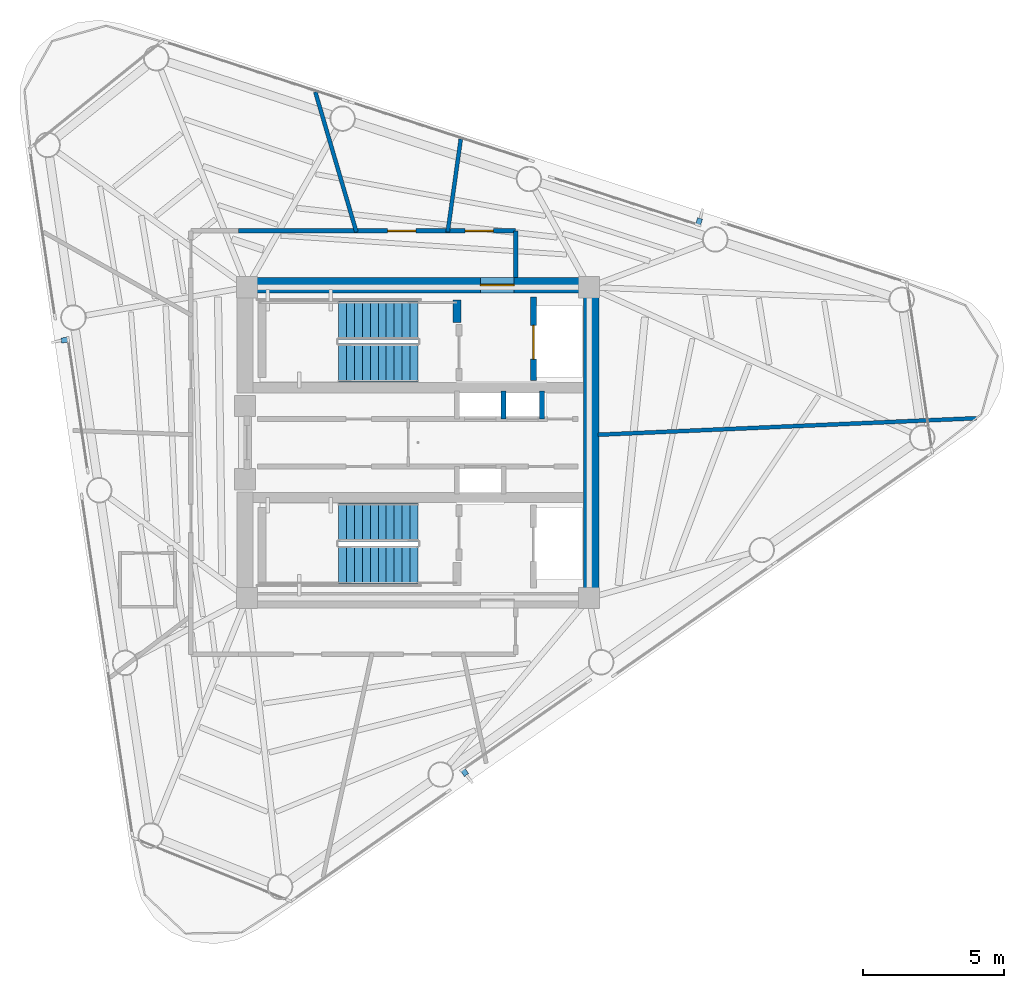
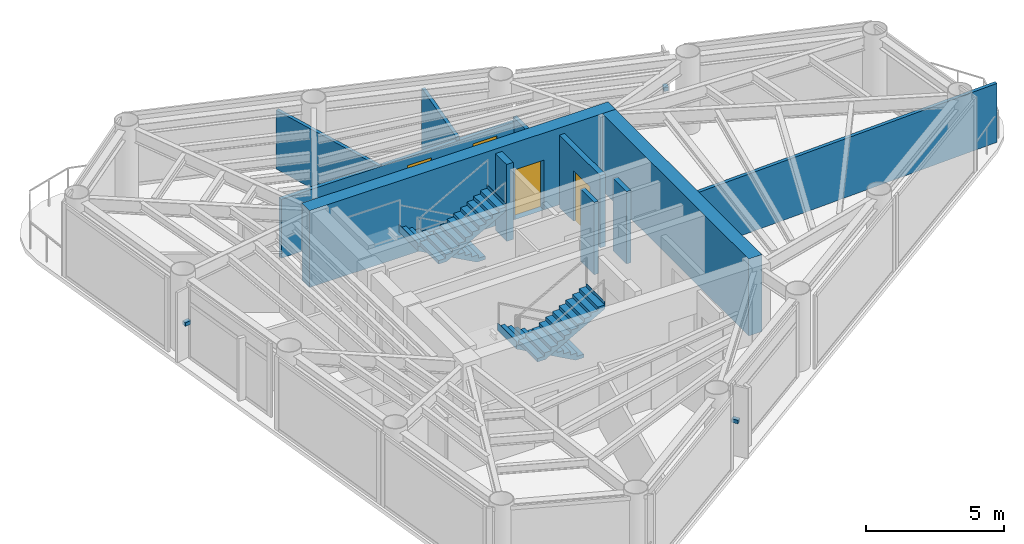
# One storey, part 6 of 9: 11 walls, 4 doors, 4 stair flights, 3 discrete accessories, 4 openings, 2 elements without a shape of their own.
"""IFC4 building model written with IfcOpenShell, lengths in metres."""

from ifc_helpers import new_model, si_unit, direction, frame, frame_2d, origin, origin_2d, place, context, subcontext, project, spatial, polyline, rectangle, outline, extrude, source, transform, mapped, material, layer, layer_set, type_object, element, fill, aggregate, save


model = new_model("IFC4")

# Units and contexts
model_context = context("Model", 3, precision=1e-05, world=origin(), true_north=direction((0.0, 1.0)))
body_context = subcontext(model_context, "Body", "Model", "MODEL_VIEW")
ifc_project = project(units=[si_unit("LENGTHUNIT", "METRE"), si_unit("AREAUNIT", "SQUARE_METRE"), si_unit("VOLUMEUNIT", "CUBIC_METRE"), si_unit("PLANEANGLEUNIT", "RADIAN"), si_unit("MASSUNIT", "GRAM", prefix="KILO")], contexts=[model_context])

# Site, building, storey
site_placement = place(None, origin())
site = spatial("IfcSite", under=ifc_project, at=site_placement, CompositionType="ELEMENT")
building_placement = place(site_placement, origin())
building = spatial("IfcBuilding", under=site, at=building_placement, Name="Yunling Apex Tower", CompositionType="ELEMENT")
storey_placement = place(building_placement, frame((0.0, 0.0, 264.35009765625)))
storey = spatial("IfcBuildingStorey", under=building, at=storey_placement, Name="L64", CompositionType="ELEMENT", Elevation=264.35009765625)

# Wall, opening, door
ifc_material_1 = material(Name="Concrete C40", Category="concrete")
ifc_layer_1 = layer(ifc_material_1, 0.550048828125)
ifc_layer_set_1 = layer_set([ifc_layer_1], Name="Concrete C40")
wall_type_1 = type_object("IfcWallType", Name="WL-COR-3", PredefinedType="SHEAR", material=ifc_layer_set_1)
wall_1_placement = place(storey_placement, frame((-6.39990234375, 5.574951171875, 0.0), z_axis=(0.0, 0.0, 1.0), x_axis=(1.0, 0.0, 0.0)))
wall_1 = element("IfcWall", 1, at=wall_1_placement, inside=storey, type_object=wall_type_1, Name="L64 North Core Shear Wall", PredefinedType="SHEAR", context=body_context, shape_type="SweptSolid", body=[
    extrude(rectangle(XDim=12.7998046875, YDim=0.550048828125, at=frame_2d((6.39990234375, 0.0))), origin(), (0.0, 0.0, 1.0), 3.39990234375),
])
opening_1_placement = place(wall_1_placement, frame((8.60009765625, 0.0, 0.0)))
opening_1 = element("IfcOpeningElement", 2, at=opening_1_placement, cuts=wall_1, Name="Opening DR-FFL-1", PredefinedType="OPENING", context=body_context, shape_type="SweptSolid", body=[
    extrude(rectangle(XDim=1.199951171875, YDim=2.199951171875, at=frame_2d((0.60009765625, 1.10009765625))), frame((0.0, 0.28515625, 0.0), z_axis=(0.0, -1.0, 0.0), x_axis=(1.0, 0.0, 0.0)), (0.0, 0.0, 1.0), 0.570068359375),
])
ifc_material_2 = material(Name="Steel Q355B", Category="steel")
door_type_1 = type_object("IfcDoorType", Name="DR-FFL-1", OperationType="NOTDEFINED", PredefinedType="DOOR", material=ifc_material_2)
door_1_placement = place(opening_1_placement, origin())
door_1 = element("IfcDoor", 3, at=door_1_placement, inside=storey, type_object=door_type_1, Name="L64 North Firefighting Lobby Door", OperationType="SINGLE_SWING_LEFT", OverallHeight=2.199951171875, OverallWidth=1.199951171875, PredefinedType="DOOR", context=body_context, shape_type="SweptSolid", body=[
    extrude(rectangle(XDim=1.199951171875, YDim=2.199951171875, at=frame_2d((0.60009765625, 1.10009765625))), frame((0.0, 0.02490234375, 0.0), z_axis=(0.0, -1.0, 0.0), x_axis=(1.0, 0.0, 0.0)), (0.0, 0.0, 1.0), 0.050048828125),
])
fill(opening_1, door_1)

# Walls
wall_2_placement = place(storey_placement, frame((6.125, -5.300048828125, 0.0), z_axis=(0.0, 0.0, 1.0), x_axis=(0.0, 1.0, 0.0)))
element("IfcWall", 4, at=wall_2_placement, inside=storey, type_object=wall_type_1, Name="L64 East Core Shear Wall", PredefinedType="SHEAR", context=body_context, shape_type="SweptSolid", body=[
    extrude(rectangle(XDim=10.60009765625, YDim=0.550048828125, at=frame_2d((5.300048828125, 0.0))), origin(), (0.0, 0.0, 1.0), 3.39990234375),
])
ifc_layer_2 = layer(ifc_material_1, 0.280029296875)
ifc_layer_set_2 = layer_set([ifc_layer_2], Name="Concrete C40")
wall_type_2 = type_object("IfcWallType", Name="WL-COR-8", PredefinedType="SHEAR", material=ifc_layer_set_2)
wall_3_placement = place(storey_placement, frame((1.3798828125, 4.25, 0.0), z_axis=(0.0, 0.0, 1.0), x_axis=(0.0, 1.0, 0.0)))
element("IfcWall", 5, at=wall_3_placement, inside=storey, type_object=wall_type_2, Name="L64 ST-1 East Landing Bearing Pier", PredefinedType="SHEAR", context=body_context, shape_type="SweptSolid", body=[
    extrude(rectangle(XDim=0.800048828125, YDim=0.280029296875, at=frame_2d((0.39990234375, 0.0))), origin(), (0.0, 0.0, 1.0), 3.39990234375),
])

# Wall, openings, doors
ifc_material_3 = material(Name="Gypsum board acoustic partition")
ifc_layer_3 = layer(ifc_material_3, 0.159912109375)
ifc_layer_set_3 = layer_set([ifc_layer_3], Name="Gypsum board acoustic partition")
wall_type_3 = type_object("IfcWallType", Name="WL-PRT-1", PredefinedType="PARTITIONING", material=ifc_layer_set_3)
wall_4_placement = place(storey_placement, frame((-6.360107421875, 7.489990234375, 0.0), z_axis=(0.0, 0.0, 1.0), x_axis=(1.0, 0.0, 0.0)))
wall_4 = element("IfcWall", 6, at=wall_4_placement, inside=storey, type_object=wall_type_3, Name="WL-CORR-L64-03", PredefinedType="PARTITIONING", context=body_context, shape_type="SweptSolid", body=[
    extrude(rectangle(XDim=9.81005859375, YDim=0.159912109375, at=frame_2d((4.905029296875, 0.0))), origin(), (0.0, 0.0, 1.0), 2.60498046875),
])
opening_2_placement = place(wall_4_placement, frame((5.283935546875, 0.0, 0.0)))
opening_2 = element("IfcOpeningElement", 7, at=opening_2_placement, cuts=wall_4, Name="Opening DR-OFF-1", PredefinedType="OPENING", context=body_context, shape_type="SweptSolid", body=[
    extrude(rectangle(XDim=1.0, YDim=2.25, at=frame_2d((0.5, 1.125))), frame((0.0, 0.08984375, 0.0), z_axis=(0.0, -1.0, 0.0), x_axis=(1.0, 0.0, 0.0)), (0.0, 0.0, 1.0), 0.179931640625),
])
opening_3_placement = place(wall_4_placement, frame((8.023193359375, 0.0, 0.0)))
opening_3 = element("IfcOpeningElement", 8, at=opening_3_placement, cuts=wall_4, Name="Opening DR-OFF-1", PredefinedType="OPENING", context=body_context, shape_type="SweptSolid", body=[
    extrude(rectangle(XDim=1.0, YDim=2.25, at=frame_2d((0.5, 1.125))), frame((0.0, 0.08984375, 0.0), z_axis=(0.0, -1.0, 0.0), x_axis=(1.0, 0.0, 0.0)), (0.0, 0.0, 1.0), 0.179931640625),
])
ifc_material_4 = material(Name="Bronze anodised aluminium", Category="aluminium")
door_type_2 = type_object("IfcDoorType", Name="DR-OFF-1", OperationType="NOTDEFINED", PredefinedType="DOOR", material=ifc_material_4)
door_2_placement = place(opening_2_placement, origin())
door_2 = element("IfcDoor", 9, at=door_2_placement, inside=storey, type_object=door_type_2, Name="L64 Wellness Yoga Club Door", OperationType="SINGLE_SWING_RIGHT", OverallHeight=2.25, OverallWidth=1.0, PredefinedType="DOOR", context=body_context, shape_type="SweptSolid", body=[
    extrude(rectangle(XDim=1.0, YDim=2.25, at=frame_2d((0.5, 1.125))), frame((0.0, 0.02490234375, 0.0), z_axis=(0.0, -1.0, 0.0), x_axis=(1.0, 0.0, 0.0)), (0.0, 0.0, 1.0), 0.050048828125),
])
fill(opening_2, door_2)
door_3_placement = place(opening_3_placement, origin())
door_3 = element("IfcDoor", 10, at=door_3_placement, inside=storey, type_object=door_type_2, Name="L64 Residents Music Lounge Door", OperationType="SINGLE_SWING_LEFT", OverallHeight=2.25, OverallWidth=1.0, PredefinedType="DOOR", context=body_context, shape_type="SweptSolid", body=[
    extrude(rectangle(XDim=1.0, YDim=2.25, at=frame_2d((0.5, 1.125))), frame((0.0, 0.02490234375, 0.0), z_axis=(0.0, -1.0, 0.0), x_axis=(1.0, 0.0, 0.0)), (0.0, 0.0, 1.0), 0.050048828125),
])
fill(opening_3, door_3)

# Walls
wall_5_placement = place(storey_placement, frame((3.449951171875, 7.489990234375, 0.0), z_axis=(0.0, 0.0, 1.0), x_axis=(0.0, -1.0, 0.0)))
element("IfcWall", 11, at=wall_5_placement, inside=storey, type_object=wall_type_3, Name="WL-CORR-L64-04", PredefinedType="PARTITIONING", context=body_context, shape_type="SweptSolid", body=[
    extrude(rectangle(XDim=1.639892578125, YDim=0.159912109375, at=frame_2d((0.81982421875, 0.0))), origin(), (0.0, 0.0, 1.0), 2.804931640625),
])
ifc_layer_4 = layer(ifc_material_3, 0.139892578125)
ifc_layer_set_4 = layer_set([ifc_layer_4], Name="Gypsum board acoustic partition")
wall_type_4 = type_object("IfcWallType", Name="WL-PRT-2", PredefinedType="PARTITIONING", material=ifc_layer_set_4)
wall_6_placement = place(storey_placement, frame((6.360107421875, 0.277587890625, 0.0), z_axis=(0.0, 0.0, 1.0), x_axis=(0.999047617824, 0.043633213494, 0.0)))
element("IfcWall", 12, at=wall_6_placement, inside=storey, type_object=wall_type_4, Name="WL-RAD-L64-01", PredefinedType="PARTITIONING", context=body_context, shape_type="SweptSolid", body=[
    extrude(rectangle(XDim=13.40625, YDim=0.139892578125, at=frame_2d((6.703125, 0.0))), origin(), (0.0, 0.0, 1.0), 2.60498046875),
])
wall_7_placement = place(storey_placement, frame((1.047119140625, 7.449951171875, 0.0), z_axis=(0.0, 0.0, 1.0), x_axis=(0.13916814145, 0.990268765743, 0.0)))
element("IfcWall", 13, at=wall_7_placement, inside=storey, type_object=wall_type_4, Name="WL-RAD-L64-02", PredefinedType="PARTITIONING", context=body_context, shape_type="SweptSolid", body=[
    extrude(rectangle(XDim=3.322509765625, YDim=0.139892578125, at=frame_2d((1.6611328125, 0.0))), origin(), (0.0, 0.0, 1.0), 2.764892578125),
])
wall_8_placement = place(storey_placement, frame((-2.18310546875, 7.449951171875, 0.0), z_axis=(0.0, 0.0, 1.0), x_axis=(-0.281242676509, 0.95963667964, 0.0)))
element("IfcWall", 14, at=wall_8_placement, inside=storey, type_object=wall_type_4, Name="WL-RAD-L64-03", PredefinedType="PARTITIONING", context=body_context, shape_type="SweptSolid", body=[
    extrude(rectangle(XDim=5.166748046875, YDim=0.139892578125, at=frame_2d((2.58349609375, 0.0))), origin(), (0.0, 0.0, 1.0), 2.60498046875),
])

# Wall, opening, door
ifc_material_5 = material(Name="Autoclaved aerated concrete masonry", Category="masonry")
ifc_layer_5 = layer(ifc_material_5, 0.219970703125)
ifc_layer_set_5 = layer_set([ifc_layer_5], Name="Autoclaved aerated concrete masonry")
wall_type_5 = type_object("IfcWallType", Name="WL-SHF-1", PredefinedType="PLUMBINGWALL", material=ifc_layer_set_5)
wall_9_placement = place(storey_placement, frame((4.080078125, 2.199951171875, 0.0), z_axis=(0.0, 0.0, 1.0), x_axis=(0.0, 1.0, 0.0)))
wall_9 = element("IfcWall", 15, at=wall_9_placement, inside=storey, type_object=wall_type_5, Name="WL-FFL1-W-L64", PredefinedType="PLUMBINGWALL", context=body_context, shape_type="SweptSolid", body=[
    extrude(rectangle(XDim=2.949951171875, YDim=0.219970703125, at=frame_2d((1.47509765625, 0.0))), origin(), (0.0, 0.0, 1.0), 3.199951171875),
])
opening_4_placement = place(wall_9_placement, frame((0.75, 0.0, 0.0)))
opening_4 = element("IfcOpeningElement", 16, at=opening_4_placement, cuts=wall_9, Name="Opening LD-FFL-1", PredefinedType="OPENING", context=body_context, shape_type="SweptSolid", body=[
    extrude(rectangle(XDim=1.199951171875, YDim=2.25, at=frame_2d((0.60009765625, 1.125))), frame((0.0, 0.1201171875, 0.0), z_axis=(0.0, -1.0, 0.0), x_axis=(1.0, 0.0, 0.0)), (0.0, 0.0, 1.0), 0.239990234375),
])
door_type_3 = type_object("IfcDoorType", Name="LD-FFL-1", OperationType="DOUBLE_DOOR_SLIDING", PredefinedType="DOOR", material=ifc_material_2)
door_4_placement = place(opening_4_placement, origin())
door_4 = element("IfcDoor", 17, at=door_4_placement, inside=storey, type_object=door_type_3, Name="L64 Lift FFL-1 Landing Door", OperationType="DOUBLE_DOOR_SLIDING", OverallHeight=2.25, OverallWidth=1.199951171875, PredefinedType="DOOR", context=body_context, shape_type="SweptSolid", body=[
    extrude(rectangle(XDim=1.199951171875, YDim=2.25, at=frame_2d((0.60009765625, 1.125))), frame((0.0, 0.02490234375, 0.0), z_axis=(0.0, -1.0, 0.0), x_axis=(1.0, 0.0, 0.0)), (0.0, 0.0, 1.0), 0.050048828125),
])
fill(opening_4, door_4)

# Walls
ifc_layer_6 = layer(ifc_material_5, 0.179931640625)
ifc_layer_set_6 = layer_set([ifc_layer_6], Name="Autoclaved aerated concrete masonry")
wall_type_6 = type_object("IfcWallType", Name="WL-SHF-2", PredefinedType="PLUMBINGWALL", material=ifc_layer_set_6)
for number, where, z_axis, x_axis, name in (
    (18, (3.02001953125, 0.840087890625, 0.0), (0.0, 0.0, 1.0), (0.0, 1.0, 0.0), "WL-DIV-H13-L64"),
    (19, (4.3798828125, 0.840087890625, 0.0), (0.0, 0.0, 1.0), (0.0, 1.0, 0.0), "WL-END-H3E-L64"),
):
    element("IfcWall", number, at=place(storey_placement, frame(where, z_axis=z_axis, x_axis=x_axis)), inside=storey, type_object=wall_type_6, Name=name, PredefinedType="PLUMBINGWALL", context=body_context, shape_type="SweptSolid", body=[
        extrude(rectangle(XDim=0.97998046875, YDim=0.179931640625, at=frame_2d((0.489990234375, 0.0))), origin(), (0.0, 0.0, 1.0), 3.199951171875),
    ])

# Stair, stair flights
stair_type = type_object("IfcStairType", Name="ST-TWR-3", PredefinedType="HALF_TURN_STAIR", material=ifc_material_1)
stair_1_placement = place(storey_placement, origin())
stair_1 = element("IfcStair", 20, at=stair_1_placement, inside=storey, type_object=stair_type, Name="L64 North Core Smokeproof Exit Stair ST-1", PredefinedType="HALF_TURN_STAIR")
stair_flight_type = type_object("IfcStairFlightType", Name="SFL-TWR-3", PredefinedType="STRAIGHT", material=ifc_material_1)
stair_flight_1_placement = place(storey_placement, frame((-0.010009765625, 4.330078125, 0.0), z_axis=(0.0, 0.0, 1.0), x_axis=(-1.0, 0.0, 0.0)))
stair_flight_1 = element("IfcStairFlight", 21, at=stair_flight_1_placement, type_object=stair_flight_type, Name="ST-1 flight 1", NumberOfRisers=11, NumberOfTreads=10, PredefinedType="STRAIGHT", RiserHeight=0.154545455, TreadLength=0.28, context=body_context, shape_type="SweptSolid", body=[
    extrude(outline(polyline([(-0.011962890625, 0.0), (-0.011962890625, 0.154541015625), (0.0, 0.154541015625), (0.280029296875, 0.154541015625), (0.280029296875, 0.30908203125), (0.56005859375, 0.30908203125), (0.56005859375, 0.463623046875), (0.840087890625, 0.463623046875), (0.840087890625, 0.6181640625), (1.1201171875, 0.6181640625), (1.1201171875, 0.772705078125), (1.39990234375, 0.772705078125), (1.39990234375, 0.92724609375), (1.679931640625, 0.92724609375), (1.679931640625, 1.081787109375), (1.9599609375, 1.081787109375), (1.9599609375, 1.236328125), (2.239990234375, 1.236328125), (2.239990234375, 1.390869140625), (2.52001953125, 1.390869140625), (2.52001953125, 1.54541015625), (2.800048828125, 1.54541015625), (2.800048828125, 1.699951171875), (2.81201171875, 1.699951171875), (2.81201171875, 1.36279296875), (0.330810546875, 0.0), (-0.011962890625, 0.0)])), frame((0.0, 0.68017578125, 0.0), z_axis=(0.0, -1.0, 0.0), x_axis=(1.0, 0.0, 0.0)), (0.0, 0.0, 1.0), 1.360107421875),
])
stair_flight_2_placement = place(storey_placement, frame((-2.81005859375, 2.820068359375, 1.699951171875), z_axis=(0.0, 0.0, 1.0), x_axis=(1.0, 0.0, 0.0)))
stair_flight_2 = element("IfcStairFlight", 22, at=stair_flight_2_placement, type_object=stair_flight_type, Name="ST-1 flight 2", NumberOfRisers=11, NumberOfTreads=10, PredefinedType="STRAIGHT", RiserHeight=0.154545455, TreadLength=0.28, context=body_context, shape_type="SweptSolid", body=[
    extrude(outline(polyline([(-0.011962890625, 0.0), (-0.011962890625, 0.154541015625), (0.0, 0.154541015625), (0.280029296875, 0.154541015625), (0.280029296875, 0.30908203125), (0.56005859375, 0.30908203125), (0.56005859375, 0.463623046875), (0.840087890625, 0.463623046875), (0.840087890625, 0.6181640625), (1.1201171875, 0.6181640625), (1.1201171875, 0.772705078125), (1.39990234375, 0.772705078125), (1.39990234375, 0.92724609375), (1.679931640625, 0.92724609375), (1.679931640625, 1.081787109375), (1.9599609375, 1.081787109375), (1.9599609375, 1.236328125), (2.239990234375, 1.236328125), (2.239990234375, 1.390869140625), (2.52001953125, 1.390869140625), (2.52001953125, 1.54541015625), (2.800048828125, 1.54541015625), (2.800048828125, 1.699951171875), (2.81201171875, 1.699951171875), (2.81201171875, 1.36279296875), (0.330810546875, 0.0), (-0.011962890625, 0.0)])), frame((0.0, 0.68017578125, 0.0), z_axis=(0.0, -1.0, 0.0), x_axis=(1.0, 0.0, 0.0)), (0.0, 0.0, 1.0), 1.360107421875),
])
aggregate(stair_1, [stair_flight_1, stair_flight_2])

stair_2_placement = place(storey_placement, origin())
stair_2 = element("IfcStair", 23, at=stair_2_placement, inside=storey, type_object=stair_type, Name="L64 South Core Smokeproof Exit Stair ST-2", PredefinedType="HALF_TURN_STAIR")
stair_flight_3_placement = place(storey_placement, frame((-0.010009765625, -2.820068359375, 0.0), z_axis=(0.0, 0.0, 1.0), x_axis=(-1.0, 0.0, 0.0)))
stair_flight_3 = element("IfcStairFlight", 24, at=stair_flight_3_placement, type_object=stair_flight_type, Name="ST-2 flight 1", NumberOfRisers=11, NumberOfTreads=10, PredefinedType="STRAIGHT", RiserHeight=0.154545455, TreadLength=0.28, context=body_context, shape_type="SweptSolid", body=[
    extrude(outline(polyline([(-0.011962890625, 0.0), (-0.011962890625, 0.154541015625), (0.0, 0.154541015625), (0.280029296875, 0.154541015625), (0.280029296875, 0.30908203125), (0.56005859375, 0.30908203125), (0.56005859375, 0.463623046875), (0.840087890625, 0.463623046875), (0.840087890625, 0.6181640625), (1.1201171875, 0.6181640625), (1.1201171875, 0.772705078125), (1.39990234375, 0.772705078125), (1.39990234375, 0.92724609375), (1.679931640625, 0.92724609375), (1.679931640625, 1.081787109375), (1.9599609375, 1.081787109375), (1.9599609375, 1.236328125), (2.239990234375, 1.236328125), (2.239990234375, 1.390869140625), (2.52001953125, 1.390869140625), (2.52001953125, 1.54541015625), (2.800048828125, 1.54541015625), (2.800048828125, 1.699951171875), (2.81201171875, 1.699951171875), (2.81201171875, 1.36279296875), (0.330810546875, 0.0), (-0.011962890625, 0.0)])), frame((0.0, 0.68017578125, 0.0), z_axis=(0.0, -1.0, 0.0), x_axis=(1.0, 0.0, 0.0)), (0.0, 0.0, 1.0), 1.360107421875),
])
stair_flight_4_placement = place(storey_placement, frame((-2.81005859375, -4.330078125, 1.699951171875), z_axis=(0.0, 0.0, 1.0), x_axis=(1.0, 0.0, 0.0)))
stair_flight_4 = element("IfcStairFlight", 25, at=stair_flight_4_placement, type_object=stair_flight_type, Name="ST-2 flight 2", NumberOfRisers=11, NumberOfTreads=10, PredefinedType="STRAIGHT", RiserHeight=0.154545455, TreadLength=0.28, context=body_context, shape_type="SweptSolid", body=[
    extrude(outline(polyline([(-0.011962890625, 0.0), (-0.011962890625, 0.154541015625), (0.0, 0.154541015625), (0.280029296875, 0.154541015625), (0.280029296875, 0.30908203125), (0.56005859375, 0.30908203125), (0.56005859375, 0.463623046875), (0.840087890625, 0.463623046875), (0.840087890625, 0.6181640625), (1.1201171875, 0.6181640625), (1.1201171875, 0.772705078125), (1.39990234375, 0.772705078125), (1.39990234375, 0.92724609375), (1.679931640625, 0.92724609375), (1.679931640625, 1.081787109375), (1.9599609375, 1.081787109375), (1.9599609375, 1.236328125), (2.239990234375, 1.236328125), (2.239990234375, 1.390869140625), (2.52001953125, 1.390869140625), (2.52001953125, 1.54541015625), (2.800048828125, 1.54541015625), (2.800048828125, 1.699951171875), (2.81201171875, 1.699951171875), (2.81201171875, 1.36279296875), (0.330810546875, 0.0), (-0.011962890625, 0.0)])), frame((0.0, 0.68017578125, 0.0), z_axis=(0.0, -1.0, 0.0), x_axis=(1.0, 0.0, 0.0)), (0.0, 0.0, 1.0), 1.360107421875),
])
aggregate(stair_2, [stair_flight_3, stair_flight_4])

# Discrete accessories
discrete_accessory_type = type_object("IfcDiscreteAccessoryType", Name="BK-FIN-1", PredefinedType="BRACKET", material=ifc_material_2)
shared_shape = source(origin(), body_context, "Body", "SweptSolid", [
    extrude(rectangle(XDim=0.179931640625, YDim=0.260009765625, at=origin_2d()), origin(), (0.0, 0.0, 1.0), 0.159912109375),
])
for number, where, z_axis, x_axis, name in (
    (26, (1.638427734375, -11.656982421875, 1.52978515625), (0.0, 0.0, 1.0), (0.819552276527, 0.573004420611, 0.0), "CW-L64-F1-B2-BRK-01-1"),
    (27, (9.938720703125, 7.80810546875, 1.52978515625), (0.0, 0.0, 1.0), (-0.951272019071, 0.30835295642, 0.0), "CW-L64-F2-B2-BRK-01-1"),
    (28, (-12.492919921875, 3.630615234375, 1.52978515625), (0.0, 0.0, 1.0), (0.14780941113, -0.989015863362, 0.0), "CW-L64-F3-B2-BRK-01-1"),
):
    element("IfcDiscreteAccessory", number, at=place(storey_placement, frame(where, z_axis=z_axis, x_axis=x_axis)), inside=storey, type_object=discrete_accessory_type, Name=name, PredefinedType="BRACKET", context=body_context, shape_type="MappedRepresentation", body=[
        mapped(shared_shape, transform((0.0, 0.0, 0.0), scale=1.0)),
    ])

save(model, "model.ifc")
